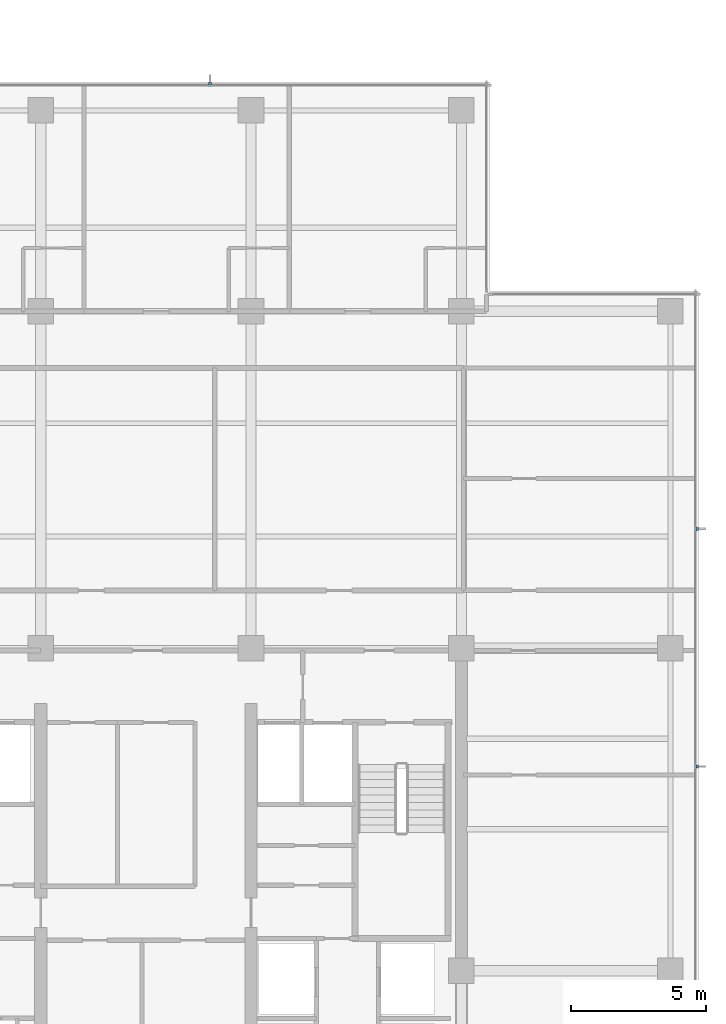
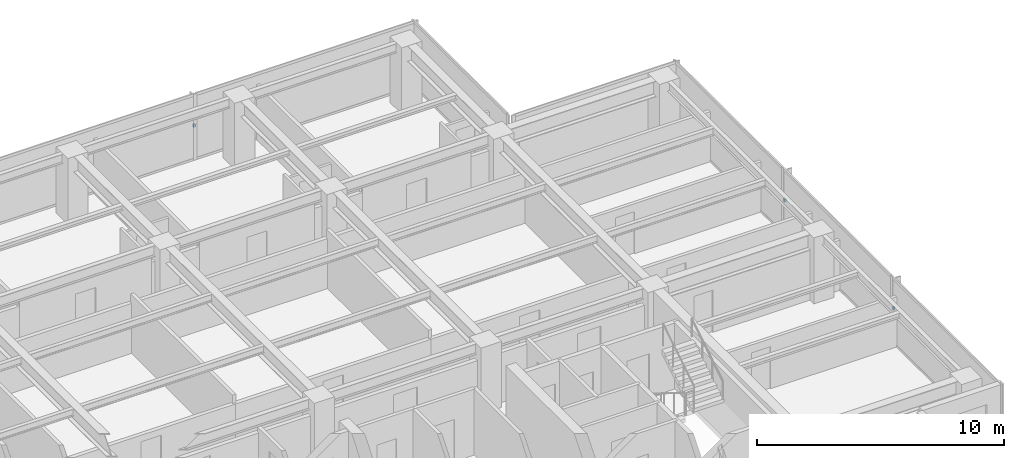
# One storey, part 12 of 14: 3 discrete accessories.
"""IFC4 building model written with IfcOpenShell, lengths in metres."""

from ifc_helpers import new_model, si_unit, direction, frame, origin, place, context, subcontext, project, spatial, polyline, outline, extrude, material, type_object, element, save


model = new_model("IFC4")

# Units and contexts
model_context = context("Model", 3, precision=1e-05, world=origin(), true_north=direction((0.0, 1.0)))
body_context = subcontext(model_context, "Body", "Model", "MODEL_VIEW")
ifc_project = project(units=[si_unit("LENGTHUNIT", "METRE"), si_unit("AREAUNIT", "SQUARE_METRE"), si_unit("VOLUMEUNIT", "CUBIC_METRE"), si_unit("PLANEANGLEUNIT", "RADIAN"), si_unit("MASSUNIT", "GRAM", prefix="KILO")], contexts=[model_context])

# Site, building, storey
site_placement = place(None, origin())
site = spatial("IfcSite", under=ifc_project, at=site_placement, CompositionType="ELEMENT")
building_placement = place(site_placement, origin())
building = spatial("IfcBuilding", under=site, at=building_placement, Name="Qalmaran Belvedere Hotel", CompositionType="ELEMENT")
storey_placement = place(building_placement, frame((0.0, 0.0, 210.89990234375)))
storey = spatial("IfcBuildingStorey", under=building, at=storey_placement, Name="L53", CompositionType="ELEMENT", Elevation=210.89990234375)

# Discrete accessories
ifc_material = material(Name="Stainless Steel 1.4401", Category="steel")
discrete_accessory_type = type_object("IfcDiscreteAccessoryType", Name="BRK-FIN-SS316", PredefinedType="BRACKET", material=ifc_material)
discrete_accessory_1_placement = place(storey_placement, frame((0.0, 0.0, 1.580078125)))
element("IfcDiscreteAccessory", 1, at=discrete_accessory_1_placement, inside=storey, type_object=discrete_accessory_type, Name="L53 Fin Bracket 1", PredefinedType="BRACKET", context=body_context, shape_type="SweptSolid", body=[
    extrude(outline(polyline([(53.4951171875, 16.061767578125), (53.58740234375, 16.061767578125), (53.58740234375, 16.171630859375), (53.4951171875, 16.171630859375), (53.4951171875, 16.061767578125)])), origin(), (0.0, 0.0, 1.0), 0.14013671875),
])
discrete_accessory_2_placement = place(storey_placement, frame((0.0, 0.0, 1.580078125)))
element("IfcDiscreteAccessory", 2, at=discrete_accessory_2_placement, inside=storey, type_object=discrete_accessory_type, Name="L53 Fin Bracket 2", PredefinedType="BRACKET", context=body_context, shape_type="SweptSolid", body=[
    extrude(outline(polyline([(53.4951171875, 24.87841796875), (53.58740234375, 24.87841796875), (53.58740234375, 24.98828125), (53.4951171875, 24.98828125), (53.4951171875, 24.87841796875)])), origin(), (0.0, 0.0, 1.0), 0.14013671875),
])
discrete_accessory_3_placement = place(storey_placement, frame((0.0, 0.0, 1.580078125)))
element("IfcDiscreteAccessory", 3, at=discrete_accessory_3_placement, inside=storey, type_object=discrete_accessory_type, Name="L53 Fin Bracket 1", PredefinedType="BRACKET", context=body_context, shape_type="SweptSolid", body=[
    extrude(outline(polyline([(35.530029296875, 41.39501953125), (35.530029296875, 41.487548828125), (35.419921875, 41.487548828125), (35.419921875, 41.39501953125), (35.530029296875, 41.39501953125)])), origin(), (0.0, 0.0, 1.0), 0.14013671875),
])

save(model, "model.ifc")
